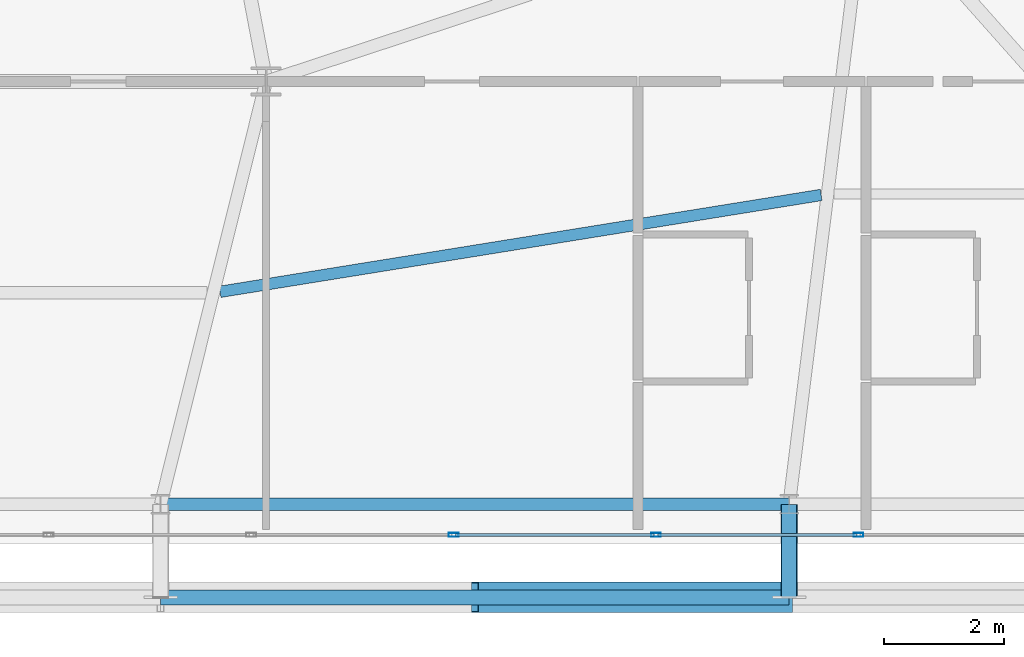
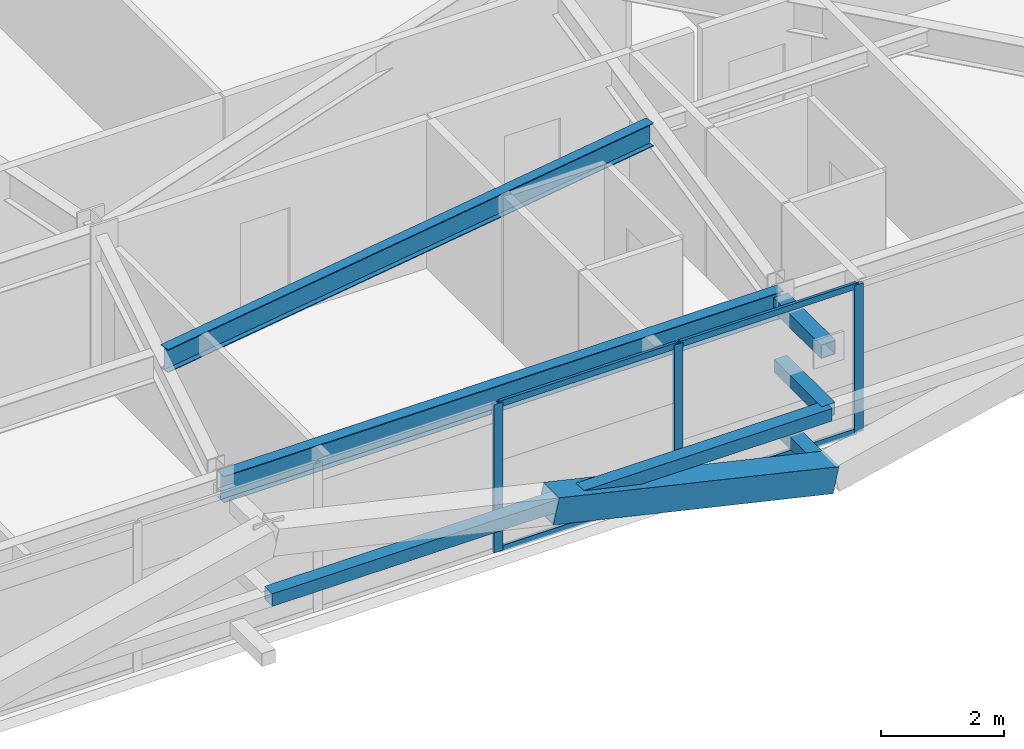
# One storey, part 21 of 58: 12 members, 2 beams, 1 element without a shape of its own.
"""IFC4 building model written with IfcOpenShell, lengths in metres."""

from ifc_helpers import new_model, si_unit, direction, frame, origin, origin_2d, place, context, subcontext, project, spatial, hollow_rectangle, i_section, extrude, source, transform, mapped, material, layer, layer_set, material_profile, profile_set, type_object, element, aggregate, save


model = new_model("IFC4")

# Units and contexts
model_context = context("Model", 3, precision=1e-05, world=origin(), true_north=direction((0.0, 1.0)))
body_context = subcontext(model_context, "Body", "Model", "MODEL_VIEW")
ifc_project = project(units=[si_unit("LENGTHUNIT", "METRE"), si_unit("AREAUNIT", "SQUARE_METRE"), si_unit("VOLUMEUNIT", "CUBIC_METRE"), si_unit("PLANEANGLEUNIT", "RADIAN"), si_unit("MASSUNIT", "GRAM", prefix="KILO")], contexts=[model_context])

# Site, building, storey
site_placement = place(None, origin())
site = spatial("IfcSite", under=ifc_project, at=site_placement, CompositionType="ELEMENT")
building_placement = place(site_placement, origin())
building = spatial("IfcBuilding", under=site, at=building_placement, Name="Taldren Reach Tower", CompositionType="ELEMENT")
storey_placement = place(building_placement, frame((0.0, 0.0, 54.60009765625)))
storey = spatial("IfcBuildingStorey", under=building, at=storey_placement, Name="L16", CompositionType="ELEMENT", Elevation=54.60009765625)

# Beams
ifc_material_1 = material(Name="Steel Gr 350 (350PLUS)", Category="steel")
ifc_material_profile_1 = material_profile(ifc_material_1, i_section(OverallWidth=0.208984375, OverallDepth=0.528076171875, WebThickness=0.009521484375, FlangeThickness=0.01318359375, at=origin_2d()), Name="530UB82.0")
ifc_profile_set_1 = profile_set([ifc_material_profile_1], Name="Steel Gr 350 (350PLUS)")
beam_type_1 = type_object("IfcBeamType", Name="SP-UB530B", PredefinedType="SPANDREL", material=ifc_profile_set_1)
shared_shape_1 = source(origin(), body_context, "Body", "SweptSolid", [
    extrude(i_section(OverallWidth=0.208984375, OverallDepth=0.528076171875, WebThickness=0.009521484375, FlangeThickness=0.01318359375, at=origin_2d()), origin(), (0.0, 0.0, 1.0), 10.47998046875),
])
beam_1_placement = place(storey_placement, frame((40.239990234375, 2.14990234375, 2.666015625), z_axis=(1.0, 0.0, 0.0), x_axis=(0.0, 1.0, 0.0)))
element("IfcBeam", 1, at=beam_1_placement, inside=storey, type_object=beam_type_1, Name="Perimeter spandrel B1 S4-S5 L16", PredefinedType="SPANDREL", context=body_context, shape_type="MappedRepresentation", body=[
    mapped(shared_shape_1, transform((0.0, 0.0, 0.0), scale=1.0)),
])
ifc_material_profile_2 = material_profile(ifc_material_1, i_section(OverallWidth=0.19091796875, OverallDepth=0.4599609375, WebThickness=0.010009765625, FlangeThickness=0.01611328125, at=origin_2d()), Name="460UB82.1")
ifc_profile_set_2 = profile_set([ifc_material_profile_2], Name="Steel Gr 350 (350PLUS)")
beam_type_2 = type_object("IfcBeamType", Name="BM-UB460A", PredefinedType="BEAM", material=ifc_profile_set_2)
shared_shape_2 = source(origin(), body_context, "Body", "SweptSolid", [
    extrude(i_section(OverallWidth=0.19091796875, OverallDepth=0.4599609375, WebThickness=0.010009765625, FlangeThickness=0.01611328125, at=origin_2d()), origin(), (0.0, 0.0, 1.0), 10.1494140625),
])
beam_2_placement = place(storey_placement, frame((41.232177734375, 5.693115234375, 2.699951171875), z_axis=(0.987266967452, 0.159072106224, 0.0), x_axis=(-0.159072106224, 0.987266967452, 0.0)))
element("IfcBeam", 2, at=beam_2_placement, inside=storey, type_object=beam_type_2, Name="Secondary floor beam B1 J4 L16", PredefinedType="BEAM", context=body_context, shape_type="MappedRepresentation", body=[
    mapped(shared_shape_2, transform((0.0, 0.0, 0.0), scale=1.0)),
])

# Members
ifc_material_2 = material(Name="Steel Gr 450 (C450L0)", Category="steel")
ifc_material_profile_3 = material_profile(ifc_material_2, hollow_rectangle(XDim=0.27490234375, YDim=0.27490234375, WallThickness=0.00927734375, at=origin_2d()), Name="275x275x9.3SHS")
ifc_profile_set_3 = profile_set([ifc_material_profile_3], Name="Steel Gr 450 (C450L0)")
member_type_1 = type_object("IfcMemberType", Name="MB-TIE273", PredefinedType="STRUT", material=ifc_profile_set_3)
shared_shape_3 = source(origin(), body_context, "Body", "SweptSolid", [
    extrude(hollow_rectangle(XDim=0.27490234375, YDim=0.27490234375, WallThickness=0.00927734375, at=origin_2d()), origin(), (0.0, 0.0, 1.0), 1.5498046875),
])
member_1_placement = place(storey_placement, frame((50.719970703125, 2.14990234375, 2.64990234375), z_axis=(0.0, -1.0, 0.0), x_axis=(1.0, 0.0, 0.0)))
element("IfcMember", 3, at=member_1_placement, inside=storey, type_object=member_type_1, Name="Exoskeleton diaphragm tie strut B1-S5 L16", PredefinedType="STRUT", context=body_context, shape_type="MappedRepresentation", body=[
    mapped(shared_shape_3, transform((0.0, 0.0, 0.0), scale=1.0)),
])
ifc_material_profile_4 = material_profile(ifc_material_2, hollow_rectangle(XDim=0.510009765625, YDim=0.510009765625, WallThickness=0.02001953125, at=origin_2d()), Name="510x510x20.0SHS")
ifc_profile_set_4 = profile_set([ifc_material_profile_4], Name="Steel Gr 450 (C450L0)")
member_type_2 = type_object("IfcMemberType", Name="MB-EXO508", PredefinedType="BRACE", material=ifc_profile_set_4)
shared_shape_4 = source(origin(), body_context, "Body", "SweptSolid", [
    extrude(hollow_rectangle(XDim=0.510009765625, YDim=0.510009765625, WallThickness=0.02001953125, at=origin_2d()), origin(), (0.0, 0.0, 1.0), 5.37890625),
])
member_2_placement = place(storey_placement, frame((50.719970703125, 0.60009765625, 0.219970703125), z_axis=(-0.974161966843, 0.0, 0.225850531007), x_axis=(0.0, -1.0, 0.0)))
element("IfcMember", 4, at=member_2_placement, inside=storey, type_object=member_type_2, Name="Exoskeleton Diagrid Brace B1-S4 L16", PredefinedType="BRACE", context=body_context, shape_type="MappedRepresentation", body=[
    mapped(shared_shape_4, transform((0.0, 0.0, 0.0), scale=1.0)),
])
ifc_material_3 = material(Name="Steel Gr 350 (C350L0)", Category="steel")
ifc_material_profile_5 = material_profile(ifc_material_3, hollow_rectangle(XDim=0.25, YDim=0.25, WallThickness=0.010009765625, at=origin_2d()), Name="250x250x10.0SHS")
ifc_profile_set_5 = profile_set([ifc_material_profile_5], Name="Steel Gr 350 (C350L0)")
member_type_3 = type_object("IfcMemberType", Name="MB-POST250", PredefinedType="POST", material=ifc_profile_set_5)
shared_shape_5 = source(origin(), body_context, "Body", "SweptSolid", [
    extrude(hollow_rectangle(XDim=0.25, YDim=0.25, WallThickness=0.010009765625, at=origin_2d()), origin(), (0.0, 0.0, 1.0), 10.47998046875),
])
member_3_placement = place(storey_placement, frame((40.239990234375, 0.60009765625, 1.434814453125), z_axis=(1.0, 0.0, 0.0), x_axis=(0.0, 1.0, 0.0)))
element("IfcMember", 5, at=member_3_placement, inside=storey, type_object=member_type_3, Name="Exoskeleton mid-height ring chord B1-S4 L16", PredefinedType="POST", context=body_context, shape_type="MappedRepresentation", body=[
    mapped(shared_shape_5, transform((0.0, 0.0, 0.0), scale=1.0)),
])
shared_shape_6 = source(origin(), body_context, "Body", "SweptSolid", [
    extrude(hollow_rectangle(XDim=0.25, YDim=0.25, WallThickness=0.010009765625, at=origin_2d()), origin(), (0.0, 0.0, 1.0), 1.5498046875),
])
for number, where, z_axis, x_axis, name in (
    (6, (50.719970703125, 2.14990234375, 0.219970703125), (0.0, -1.0, 0.0), (1.0, 0.0, 0.0), "Exoskeleton base diaphragm tie strut B1-S5 L16"),
    (7, (50.719970703125, 2.14990234375, 1.434814453125), (0.0, -1.0, 0.0), (1.0, 0.0, 0.0), "Exoskeleton mid-tier diaphragm tie B1-S5 L16"),
):
    element("IfcMember", number, at=place(storey_placement, frame(where, z_axis=z_axis, x_axis=x_axis)), inside=storey, type_object=member_type_3, Name=name, PredefinedType="POST", context=body_context, shape_type="MappedRepresentation", body=[
        mapped(shared_shape_6, transform((0.0, 0.0, 0.0), scale=1.0)),
    ])

# Curtain wall, members
ifc_material_4 = material(Name="Aluminium and Low-E Glass Unitised System", Category="aluminium")
ifc_layer = layer(ifc_material_4, 0.159912109375)
ifc_layer_set = layer_set([ifc_layer], Name="Aluminium and Low-E Glass Unitised System")
curtain_wall_type = type_object("IfcCurtainWallType", Name="CW-SYS-2", PredefinedType="NOTDEFINED", material=ifc_layer_set)
curtain_wall_placement = place(storey_placement, origin())
curtain_wall = element("IfcCurtainWall", 8, at=curtain_wall_placement, inside=storey, type_object=curtain_wall_type, Name="Unitised curtain wall CW-L16-S", PredefinedType="NOTDEFINED")
ifc_material_5 = material(Name="Anodised Aluminium 6063-T6", Category="aluminium")
ifc_material_profile_6 = material_profile(ifc_material_5, hollow_rectangle(XDim=0.06494140625, YDim=0.1650390625, WallThickness=0.00390625, at=origin_2d()), Name="ALU-165x65x4RHS")
ifc_profile_set_6 = profile_set([ifc_material_profile_6], Name="Anodised Aluminium 6063-T6")
member_type_4 = type_object("IfcMemberType", Name="CW-MUL-165", PredefinedType="MULLION", material=ifc_profile_set_6)
shared_shape_7 = source(origin(), body_context, "Body", "SweptSolid", [
    extrude(hollow_rectangle(XDim=0.06494140625, YDim=0.1650390625, WallThickness=0.00390625, at=origin_2d()), origin(), (0.0, 0.0, 1.0), 2.929931640625),
])
member_4_placement = place(storey_placement, frame((45.125, 1.639892578125, 0.0), z_axis=(0.0, 0.0, 1.0), x_axis=(0.0, 1.0, 0.0)))
member_4 = element("IfcMember", 9, at=member_4_placement, type_object=member_type_4, Name="CW-2 mullion 12", PredefinedType="MULLION", context=body_context, shape_type="MappedRepresentation", body=[
    mapped(shared_shape_7, transform((0.0, 0.0, 0.0), scale=1.0)),
])
member_5_placement = place(storey_placement, frame((48.5, 1.639892578125, 0.0), z_axis=(0.0, 0.0, 1.0), x_axis=(0.0, 1.0, 0.0)))
member_5 = element("IfcMember", 10, at=member_5_placement, type_object=member_type_4, Name="CW-2 mullion 13", PredefinedType="MULLION", context=body_context, shape_type="MappedRepresentation", body=[
    mapped(shared_shape_7, transform((0.0, 0.0, 0.0), scale=1.0)),
])
member_6_placement = place(storey_placement, frame((51.875, 1.639892578125, 0.0), z_axis=(0.0, 0.0, 1.0), x_axis=(0.0, 1.0, 0.0)))
member_6 = element("IfcMember", 11, at=member_6_placement, type_object=member_type_4, Name="CW-2 mullion 14", PredefinedType="MULLION", context=body_context, shape_type="MappedRepresentation", body=[
    mapped(shared_shape_7, transform((0.0, 0.0, 0.0), scale=1.0)),
])
ifc_material_profile_7 = material_profile(ifc_material_5, hollow_rectangle(XDim=0.054931640625, YDim=0.1201171875, WallThickness=0.0029296875, at=origin_2d()), Name="ALU-120x55x3RHS")
ifc_profile_set_7 = profile_set([ifc_material_profile_7], Name="Anodised Aluminium 6063-T6")
member_type_5 = type_object("IfcMemberType", Name="CW-TRN-135", PredefinedType="USERDEFINED", material=ifc_profile_set_7)
shared_shape_8 = source(origin(), body_context, "Body", "SweptSolid", [
    extrude(hollow_rectangle(XDim=0.054931640625, YDim=0.1201171875, WallThickness=0.0029296875, at=origin_2d()), origin(), (0.0, 0.0, 1.0), 3.31005859375),
])
member_7_placement = place(storey_placement, frame((45.157470703125, 1.639892578125, 0.02734375), z_axis=(1.0, 0.0, 0.0), x_axis=(0.0, 1.0, 0.0)))
member_7 = element("IfcMember", 12, at=member_7_placement, type_object=member_type_5, Name="CW-2 transom 12.1", ObjectType="TRANSOM", PredefinedType="USERDEFINED", context=body_context, shape_type="MappedRepresentation", body=[
    mapped(shared_shape_8, transform((0.0, 0.0, 0.0), scale=1.0)),
])
member_8_placement = place(storey_placement, frame((45.157470703125, 1.639892578125, 2.90234375), z_axis=(1.0, 0.0, 0.0), x_axis=(0.0, 1.0, 0.0)))
member_8 = element("IfcMember", 13, at=member_8_placement, type_object=member_type_5, Name="CW-2 transom 12.2", ObjectType="TRANSOM", PredefinedType="USERDEFINED", context=body_context, shape_type="MappedRepresentation", body=[
    mapped(shared_shape_8, transform((0.0, 0.0, 0.0), scale=1.0)),
])
member_9_placement = place(storey_placement, frame((48.532470703125, 1.639892578125, 0.02734375), z_axis=(1.0, 0.0, 0.0), x_axis=(0.0, 1.0, 0.0)))
member_9 = element("IfcMember", 14, at=member_9_placement, type_object=member_type_5, Name="CW-2 transom 13.1", ObjectType="TRANSOM", PredefinedType="USERDEFINED", context=body_context, shape_type="MappedRepresentation", body=[
    mapped(shared_shape_8, transform((0.0, 0.0, 0.0), scale=1.0)),
])
member_10_placement = place(storey_placement, frame((48.532470703125, 1.639892578125, 2.90234375), z_axis=(1.0, 0.0, 0.0), x_axis=(0.0, 1.0, 0.0)))
member_10 = element("IfcMember", 15, at=member_10_placement, type_object=member_type_5, Name="CW-2 transom 13.2", ObjectType="TRANSOM", PredefinedType="USERDEFINED", context=body_context, shape_type="MappedRepresentation", body=[
    mapped(shared_shape_8, transform((0.0, 0.0, 0.0), scale=1.0)),
])
aggregate(curtain_wall, [member_4, member_5, member_6, member_7, member_8, member_9, member_10])

save(model, "model.ifc")
